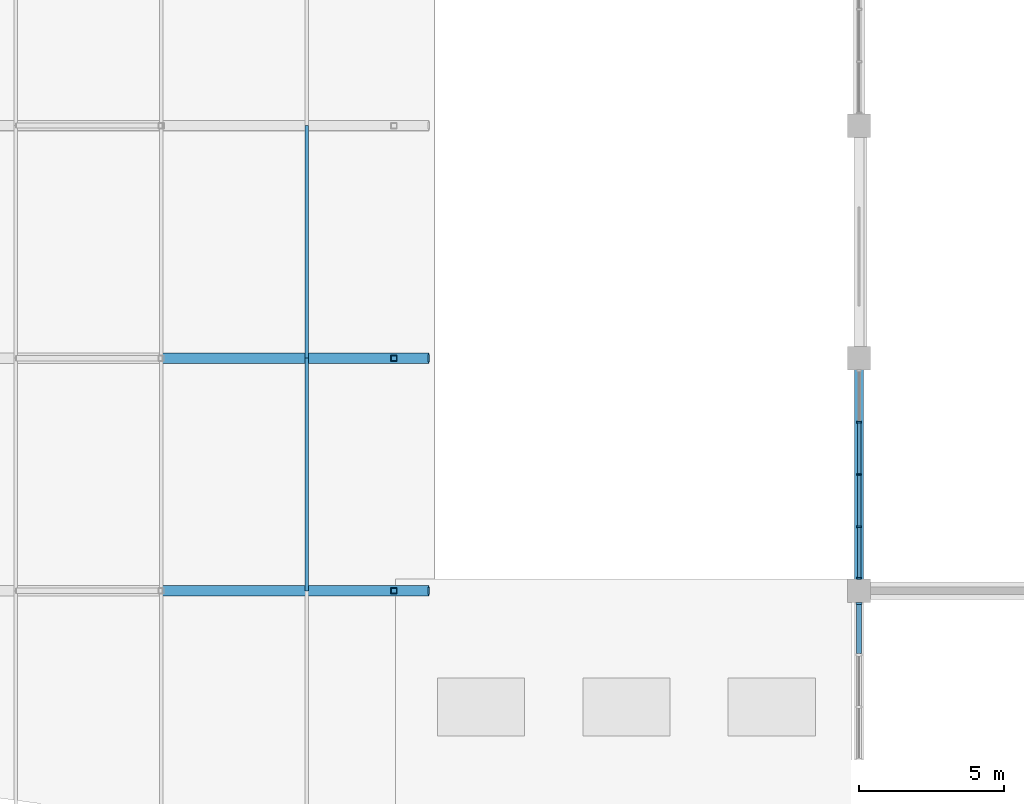
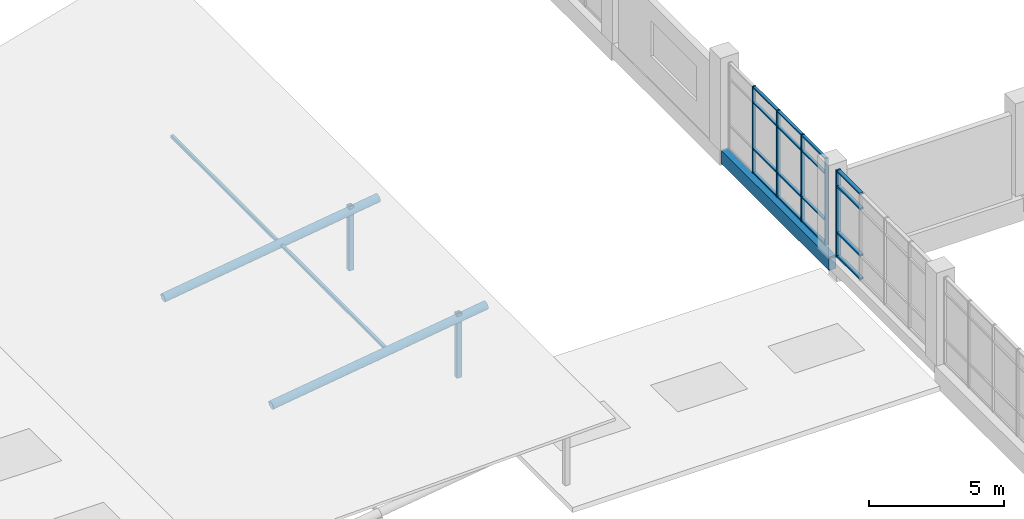
# One storey, part 22 of 84: 25 members, 3 beams, 2 elements without a shape of their own.
"""IFC4 building model written with IfcOpenShell, lengths in metres."""

from ifc_helpers import new_model, si_unit, direction, frame, origin, origin_2d, place, context, subcontext, project, spatial, rectangle, hollow_rectangle, hollow_circle, extrude, material, material_profile, profile_set, type_object, element, aggregate, save


model = new_model("IFC4")

# Units and contexts
model_context = context("Model", 3, precision=1e-05, world=origin(), true_north=direction((0.0, 1.0)))
body_context = subcontext(model_context, "Body", "Model", "MODEL_VIEW")
ifc_project = project(units=[si_unit("LENGTHUNIT", "METRE"), si_unit("AREAUNIT", "SQUARE_METRE"), si_unit("VOLUMEUNIT", "CUBIC_METRE"), si_unit("PLANEANGLEUNIT", "RADIAN"), si_unit("MASSUNIT", "GRAM", prefix="KILO")], contexts=[model_context])

# Site, building, storey
site_placement = place(None, origin())
site = spatial("IfcSite", under=ifc_project, at=site_placement, CompositionType="ELEMENT")
building_placement = place(site_placement, origin())
building = spatial("IfcBuilding", under=site, at=building_placement, Name="Tenunan Teduh Sports Hall", CompositionType="ELEMENT")
storey_placement = place(building_placement, frame((0.0, 0.0, 10.800048828125)))
storey = spatial("IfcBuildingStorey", under=building, at=storey_placement, Name="L02", CompositionType="ELEMENT", Elevation=10.800048828125)

# Beam
ifc_material_1 = material(Name="Concrete C40/50", Category="concrete")
ifc_material_profile_1 = material_profile(ifc_material_1, rectangle(XDim=0.300048828125, YDim=0.60009765625, at=origin_2d()), Name="RCB 300x600")
ifc_profile_set_1 = profile_set([ifc_material_profile_1], Name="Concrete C40/50")
beam_type_1 = type_object("IfcBeamType", Name="BM-RC-300x600", PredefinedType="BEAM", material=ifc_profile_set_1)
beam_placement = place(storey_placement, frame((122.0, 46.0, -0.56005859375), z_axis=(0.0, 1.0, 0.0), x_axis=(-1.0, 0.0, 0.0)))
element("IfcBeam", 1, at=beam_placement, inside=storey, type_object=beam_type_1, Name="BM-B-03-L02-1637", PredefinedType="BEAM", context=body_context, shape_type="SweptSolid", body=[
    extrude(rectangle(XDim=0.300048828125, YDim=0.60009765625, at=origin_2d()), origin(), (0.0, 0.0, 1.0), 8.0),
])

# Curtain wall, members
ifc_material_2 = material(Name="Anodised aluminium", Category="aluminium")
curtain_wall_type = type_object("IfcCurtainWallType", Name="CW-UNIT-2", PredefinedType="NOTDEFINED", material=ifc_material_2)
curtain_wall_1_placement = place(storey_placement, origin())
curtain_wall_1 = element("IfcCurtainWall", 2, at=curtain_wall_1_placement, inside=storey, type_object=curtain_wall_type, Name="CW-CWM-150-L02-131", PredefinedType="NOTDEFINED")
ifc_material_3 = material(Name="Anodised aluminium", Category="aluminium")
ifc_material_profile_2 = material_profile(ifc_material_3, rectangle(XDim=0.06005859375, YDim=0.14990234375, at=origin_2d()), Name="CWM 60x150")
ifc_profile_set_2 = profile_set([ifc_material_profile_2], Name="Anodised aluminium")
member_type_1 = type_object("IfcMemberType", Name="CWM-150", PredefinedType="MULLION", material=ifc_profile_set_2)
member_1_placement = place(storey_placement, frame((122.0, 46.429931640625, 0.0), z_axis=(0.0, 0.0, 1.0), x_axis=(0.0, 1.0, 0.0)))
member_1 = element("IfcMember", 3, at=member_1_placement, type_object=member_type_1, Name="CW-02 mullion 1", PredefinedType="MULLION", context=body_context, shape_type="SweptSolid", body=[
    extrude(rectangle(XDim=0.06005859375, YDim=0.14990234375, at=origin_2d()), origin(), (0.0, 0.0, 1.0), 3.919921875),
])
member_2_placement = place(storey_placement, frame((122.0, 48.199951171875, 0.0), z_axis=(0.0, 0.0, 1.0), x_axis=(0.0, 1.0, 0.0)))
member_2 = element("IfcMember", 4, at=member_2_placement, type_object=member_type_1, Name="CW-02 mullion 2", PredefinedType="MULLION", context=body_context, shape_type="SweptSolid", body=[
    extrude(rectangle(XDim=0.06005859375, YDim=0.14990234375, at=origin_2d()), origin(), (0.0, 0.0, 1.0), 3.919921875),
])
member_3_placement = place(storey_placement, frame((122.0, 50.0, 0.0), z_axis=(0.0, 0.0, 1.0), x_axis=(0.0, 1.0, 0.0)))
member_3 = element("IfcMember", 5, at=member_3_placement, type_object=member_type_1, Name="CW-02 mullion 3", PredefinedType="MULLION", context=body_context, shape_type="SweptSolid", body=[
    extrude(rectangle(XDim=0.06005859375, YDim=0.14990234375, at=origin_2d()), origin(), (0.0, 0.0, 1.0), 3.919921875),
])
member_4_placement = place(storey_placement, frame((122.0, 51.800048828125, 0.0), z_axis=(0.0, 0.0, 1.0), x_axis=(0.0, 1.0, 0.0)))
member_4 = element("IfcMember", 6, at=member_4_placement, type_object=member_type_1, Name="CW-02 mullion 4", PredefinedType="MULLION", context=body_context, shape_type="SweptSolid", body=[
    extrude(rectangle(XDim=0.06005859375, YDim=0.14990234375, at=origin_2d()), origin(), (0.0, 0.0, 1.0), 3.919921875),
])

# Curtain wall, member
curtain_wall_2_placement = place(storey_placement, origin())
curtain_wall_2 = element("IfcCurtainWall", 7, at=curtain_wall_2_placement, inside=storey, type_object=curtain_wall_type, Name="CW-CWM-200-L02-032", PredefinedType="NOTDEFINED")
ifc_material_4 = material(Name="Anodised aluminium", Category="aluminium")
ifc_material_profile_3 = material_profile(ifc_material_4, rectangle(XDim=0.070068359375, YDim=0.199951171875, at=origin_2d()), Name="CWM 70x200")
ifc_profile_set_3 = profile_set([ifc_material_profile_3], Name="Anodised aluminium")
member_type_2 = type_object("IfcMemberType", Name="CWM-200", PredefinedType="MULLION", material=ifc_profile_set_3)
member_5_placement = place(storey_placement, frame((122.0, 45.56494140625, 0.0), z_axis=(0.0, 0.0, 1.0), x_axis=(0.0, 1.0, 0.0)))
member_5 = element("IfcMember", 8, at=member_5_placement, type_object=member_type_2, Name="CW-02 mullion 5", PredefinedType="MULLION", context=body_context, shape_type="SweptSolid", body=[
    extrude(rectangle(XDim=0.070068359375, YDim=0.199951171875, at=origin_2d()), origin(), (0.0, 0.0, 1.0), 3.919921875),
])

# Member
ifc_material_5 = material(Name="Anodised aluminium", Category="aluminium")
ifc_material_profile_4 = material_profile(ifc_material_5, rectangle(XDim=0.06005859375, YDim=0.1201171875, at=origin_2d()), Name="CWT 60x120")
ifc_profile_set_4 = profile_set([ifc_material_profile_4], Name="Anodised aluminium")
member_type_3 = type_object("IfcMemberType", Name="CWT-125", PredefinedType="USERDEFINED", material=ifc_profile_set_4)
member_6_placement = place(storey_placement, frame((122.0, 46.4599609375, 0.030029296875), z_axis=(0.0, 1.0, 0.0), x_axis=(0.0, 0.0, 1.0)))
member_6 = element("IfcMember", 9, at=member_6_placement, type_object=member_type_3, Name="CW-02 transom 1.1", ObjectType="TRANSOM", PredefinedType="USERDEFINED", context=body_context, shape_type="SweptSolid", body=[
    extrude(rectangle(XDim=0.06005859375, YDim=0.1201171875, at=origin_2d()), origin(), (0.0, 0.0, 1.0), 1.7099609375),
])

member_7_placement = place(storey_placement, frame((122.0, 46.4599609375, 1.099853515625), z_axis=(0.0, 1.0, 0.0), x_axis=(0.0, 0.0, 1.0)))
member_7 = element("IfcMember", 10, at=member_7_placement, type_object=member_type_3, Name="CW-02 transom 1.2", ObjectType="TRANSOM", PredefinedType="USERDEFINED", context=body_context, shape_type="SweptSolid", body=[
    extrude(rectangle(XDim=0.06005859375, YDim=0.1201171875, at=origin_2d()), origin(), (0.0, 0.0, 1.0), 1.7099609375),
])

member_8_placement = place(storey_placement, frame((122.0, 46.4599609375, 3.199951171875), z_axis=(0.0, 1.0, 0.0), x_axis=(0.0, 0.0, 1.0)))
member_8 = element("IfcMember", 11, at=member_8_placement, type_object=member_type_3, Name="CW-02 transom 1.3", ObjectType="TRANSOM", PredefinedType="USERDEFINED", context=body_context, shape_type="SweptSolid", body=[
    extrude(rectangle(XDim=0.06005859375, YDim=0.1201171875, at=origin_2d()), origin(), (0.0, 0.0, 1.0), 1.7099609375),
])

member_9_placement = place(storey_placement, frame((122.0, 46.4599609375, 3.889892578125), z_axis=(0.0, 1.0, 0.0), x_axis=(0.0, 0.0, 1.0)))
member_9 = element("IfcMember", 12, at=member_9_placement, type_object=member_type_3, Name="CW-02 transom 1.4", ObjectType="TRANSOM", PredefinedType="USERDEFINED", context=body_context, shape_type="SweptSolid", body=[
    extrude(rectangle(XDim=0.06005859375, YDim=0.1201171875, at=origin_2d()), origin(), (0.0, 0.0, 1.0), 1.7099609375),
])

member_10_placement = place(storey_placement, frame((122.0, 48.22998046875, 0.030029296875), z_axis=(0.0, 1.0, 0.0), x_axis=(0.0, 0.0, 1.0)))
member_10 = element("IfcMember", 13, at=member_10_placement, type_object=member_type_3, Name="CW-02 transom 2.1", ObjectType="TRANSOM", PredefinedType="USERDEFINED", context=body_context, shape_type="SweptSolid", body=[
    extrude(rectangle(XDim=0.06005859375, YDim=0.1201171875, at=origin_2d()), origin(), (0.0, 0.0, 1.0), 1.739990234375),
])

member_11_placement = place(storey_placement, frame((122.0, 48.22998046875, 1.099853515625), z_axis=(0.0, 1.0, 0.0), x_axis=(0.0, 0.0, 1.0)))
member_11 = element("IfcMember", 14, at=member_11_placement, type_object=member_type_3, Name="CW-02 transom 2.2", ObjectType="TRANSOM", PredefinedType="USERDEFINED", context=body_context, shape_type="SweptSolid", body=[
    extrude(rectangle(XDim=0.06005859375, YDim=0.1201171875, at=origin_2d()), origin(), (0.0, 0.0, 1.0), 1.739990234375),
])

member_12_placement = place(storey_placement, frame((122.0, 48.22998046875, 3.199951171875), z_axis=(0.0, 1.0, 0.0), x_axis=(0.0, 0.0, 1.0)))
member_12 = element("IfcMember", 15, at=member_12_placement, type_object=member_type_3, Name="CW-02 transom 2.3", ObjectType="TRANSOM", PredefinedType="USERDEFINED", context=body_context, shape_type="SweptSolid", body=[
    extrude(rectangle(XDim=0.06005859375, YDim=0.1201171875, at=origin_2d()), origin(), (0.0, 0.0, 1.0), 1.739990234375),
])

member_13_placement = place(storey_placement, frame((122.0, 48.22998046875, 3.889892578125), z_axis=(0.0, 1.0, 0.0), x_axis=(0.0, 0.0, 1.0)))
member_13 = element("IfcMember", 16, at=member_13_placement, type_object=member_type_3, Name="CW-02 transom 2.4", ObjectType="TRANSOM", PredefinedType="USERDEFINED", context=body_context, shape_type="SweptSolid", body=[
    extrude(rectangle(XDim=0.06005859375, YDim=0.1201171875, at=origin_2d()), origin(), (0.0, 0.0, 1.0), 1.739990234375),
])

member_14_placement = place(storey_placement, frame((122.0, 50.030029296875, 0.030029296875), z_axis=(0.0, 1.0, 0.0), x_axis=(0.0, 0.0, 1.0)))
member_14 = element("IfcMember", 17, at=member_14_placement, type_object=member_type_3, Name="CW-02 transom 3.1", ObjectType="TRANSOM", PredefinedType="USERDEFINED", context=body_context, shape_type="SweptSolid", body=[
    extrude(rectangle(XDim=0.06005859375, YDim=0.1201171875, at=origin_2d()), origin(), (0.0, 0.0, 1.0), 1.739990234375),
])

member_15_placement = place(storey_placement, frame((122.0, 50.030029296875, 1.099853515625), z_axis=(0.0, 1.0, 0.0), x_axis=(0.0, 0.0, 1.0)))
member_15 = element("IfcMember", 18, at=member_15_placement, type_object=member_type_3, Name="CW-02 transom 3.2", ObjectType="TRANSOM", PredefinedType="USERDEFINED", context=body_context, shape_type="SweptSolid", body=[
    extrude(rectangle(XDim=0.06005859375, YDim=0.1201171875, at=origin_2d()), origin(), (0.0, 0.0, 1.0), 1.739990234375),
])

member_16_placement = place(storey_placement, frame((122.0, 50.030029296875, 3.199951171875), z_axis=(0.0, 1.0, 0.0), x_axis=(0.0, 0.0, 1.0)))
member_16 = element("IfcMember", 19, at=member_16_placement, type_object=member_type_3, Name="CW-02 transom 3.3", ObjectType="TRANSOM", PredefinedType="USERDEFINED", context=body_context, shape_type="SweptSolid", body=[
    extrude(rectangle(XDim=0.06005859375, YDim=0.1201171875, at=origin_2d()), origin(), (0.0, 0.0, 1.0), 1.739990234375),
])

member_17_placement = place(storey_placement, frame((122.0, 50.030029296875, 3.889892578125), z_axis=(0.0, 1.0, 0.0), x_axis=(0.0, 0.0, 1.0)))
member_17 = element("IfcMember", 20, at=member_17_placement, type_object=member_type_3, Name="CW-02 transom 3.4", ObjectType="TRANSOM", PredefinedType="USERDEFINED", context=body_context, shape_type="SweptSolid", body=[
    extrude(rectangle(XDim=0.06005859375, YDim=0.1201171875, at=origin_2d()), origin(), (0.0, 0.0, 1.0), 1.739990234375),
])

aggregate(curtain_wall_1, [member_1, member_2, member_3, member_4, member_6, member_7, member_8, member_9, member_10, member_11, member_12, member_13, member_14, member_15, member_16, member_17])

ifc_material_6 = material(Name="Anodised aluminium", Category="aluminium")
ifc_material_profile_5 = material_profile(ifc_material_6, rectangle(XDim=0.070068359375, YDim=0.159912109375, at=origin_2d()), Name="CWT 70x160")
ifc_profile_set_5 = profile_set([ifc_material_profile_5], Name="Anodised aluminium")
member_type_4 = type_object("IfcMemberType", Name="CWT-200", PredefinedType="USERDEFINED", material=ifc_profile_set_5)
member_18_placement = place(storey_placement, frame((122.0, 43.8349609375, 0.034912109375), z_axis=(0.0, 1.0, 0.0), x_axis=(0.0, 0.0, 1.0)))
member_18 = element("IfcMember", 21, at=member_18_placement, type_object=member_type_4, Name="CW-02 transom 4.1", ObjectType="TRANSOM", PredefinedType="USERDEFINED", context=body_context, shape_type="SweptSolid", body=[
    extrude(rectangle(XDim=0.070068359375, YDim=0.159912109375, at=origin_2d()), origin(), (0.0, 0.0, 1.0), 1.695068359375),
])

member_19_placement = place(storey_placement, frame((122.0, 43.8349609375, 1.099853515625), z_axis=(0.0, 1.0, 0.0), x_axis=(0.0, 0.0, 1.0)))
member_19 = element("IfcMember", 22, at=member_19_placement, type_object=member_type_4, Name="CW-02 transom 4.2", ObjectType="TRANSOM", PredefinedType="USERDEFINED", context=body_context, shape_type="SweptSolid", body=[
    extrude(rectangle(XDim=0.070068359375, YDim=0.159912109375, at=origin_2d()), origin(), (0.0, 0.0, 1.0), 1.695068359375),
])

member_20_placement = place(storey_placement, frame((122.0, 43.8349609375, 3.199951171875), z_axis=(0.0, 1.0, 0.0), x_axis=(0.0, 0.0, 1.0)))
member_20 = element("IfcMember", 23, at=member_20_placement, type_object=member_type_4, Name="CW-02 transom 4.3", ObjectType="TRANSOM", PredefinedType="USERDEFINED", context=body_context, shape_type="SweptSolid", body=[
    extrude(rectangle(XDim=0.070068359375, YDim=0.159912109375, at=origin_2d()), origin(), (0.0, 0.0, 1.0), 1.695068359375),
])

member_21_placement = place(storey_placement, frame((122.0, 43.8349609375, 3.885009765625), z_axis=(0.0, 1.0, 0.0), x_axis=(0.0, 0.0, 1.0)))
member_21 = element("IfcMember", 24, at=member_21_placement, type_object=member_type_4, Name="CW-02 transom 4.4", ObjectType="TRANSOM", PredefinedType="USERDEFINED", context=body_context, shape_type="SweptSolid", body=[
    extrude(rectangle(XDim=0.070068359375, YDim=0.159912109375, at=origin_2d()), origin(), (0.0, 0.0, 1.0), 1.695068359375),
])

aggregate(curtain_wall_2, [member_5, member_18, member_19, member_20, member_21])

# Beams
ifc_material_7 = material(Name="Steel S355", Category="steel")
ifc_material_profile_6 = material_profile(ifc_material_7, hollow_circle(Radius=0.177734375, WallThickness=0.012451171875, at=origin_2d()), Name="CHS 355.6x12.5")
ifc_profile_set_6 = profile_set([ifc_material_profile_6], Name="Steel S355")
beam_type_2 = type_object("IfcBeamType", Name="GSB-CHS356", PredefinedType="BEAM", material=ifc_profile_set_6)
for number, where, z_axis, x_axis, name in (
    (25, (98.0, 46.0, 1.404296875), (0.989928466814, 0.0, 0.14156846609), (0.0, 1.0, 0.0), "Gridshell Vault Arch BM-GR-04-L02-0502"),
    (26, (98.0, 54.0, 1.404296875), (0.989928466814, 0.0, 0.14156846609), (0.0, 1.0, 0.0), "Gridshell Vault Arch BM-GR-04-L02-0507"),
):
    element("IfcBeam", number, at=place(storey_placement, frame(where, z_axis=z_axis, x_axis=x_axis)), inside=storey, type_object=beam_type_2, Name=name, PredefinedType="BEAM", context=body_context, shape_type="SweptSolid", body=[
        extrude(hollow_circle(Radius=0.177734375, WallThickness=0.012451171875, at=origin_2d()), origin(), (0.0, 0.0, 1.0), 9.29345703125),
    ])

# Members
ifc_material_8 = material(Name="Steel S355", Category="steel")
ifc_material_profile_7 = material_profile(ifc_material_8, hollow_rectangle(XDim=0.1201171875, YDim=0.1201171875, WallThickness=0.00634765625, at=origin_2d()), Name="SHS 120x120x6.3")
ifc_profile_set_7 = profile_set([ifc_material_profile_7], Name="Steel S355")
member_type_5 = type_object("IfcMemberType", Name="MEM-PR-SHS120", PredefinedType="PURLIN", material=ifc_profile_set_7)
for number, where, z_axis, x_axis, name in (
    (27, (103.0, 46.0, 2.126708984375), (0.0, 1.0, 0.0), (-1.0, 0.0, 0.0), "MEM-PR-02-L02-0927"),
    (28, (103.0, 54.0, 2.126708984375), (0.0, 1.0, 0.0), (-1.0, 0.0, 0.0), "MEM-PR-02-L02-0928"),
):
    element("IfcMember", number, at=place(storey_placement, frame(where, z_axis=z_axis, x_axis=x_axis)), inside=storey, type_object=member_type_5, Name=name, PredefinedType="PURLIN", context=body_context, shape_type="SweptSolid", body=[
        extrude(hollow_rectangle(XDim=0.1201171875, YDim=0.1201171875, WallThickness=0.00634765625, at=origin_2d()), origin(), (0.0, 0.0, 1.0), 8.0),
    ])
ifc_material_9 = material(Name="Steel S355", Category="steel")
ifc_material_profile_8 = material_profile(ifc_material_9, hollow_rectangle(XDim=0.199951171875, YDim=0.199951171875, WallThickness=0.010009765625, at=origin_2d()), Name="SHS 200x200x10.0")
ifc_profile_set_8 = profile_set([ifc_material_profile_8], Name="Steel S355")
member_type_6 = type_object("IfcMemberType", Name="MEM-ST-SHS200", PredefinedType="STRUT", material=ifc_profile_set_8)
for number, where, z_axis, x_axis, name in (
    (29, (106.0, 46.0, -0.10009765625), (0.0, 0.0, 1.0), (1.0, 0.0, 0.0), "MEM-VS-02-L02-0867"),
    (30, (106.0, 54.0, -0.10009765625), (0.0, 0.0, 1.0), (1.0, 0.0, 0.0), "MEM-VS-02-L02-0878"),
):
    element("IfcMember", number, at=place(storey_placement, frame(where, z_axis=z_axis, x_axis=x_axis)), inside=storey, type_object=member_type_6, Name=name, PredefinedType="STRUT", context=body_context, shape_type="SweptSolid", body=[
        extrude(hollow_rectangle(XDim=0.199951171875, YDim=0.199951171875, WallThickness=0.010009765625, at=origin_2d()), origin(), (0.0, 0.0, 1.0), 2.91015625),
    ])

save(model, "model.ifc")
